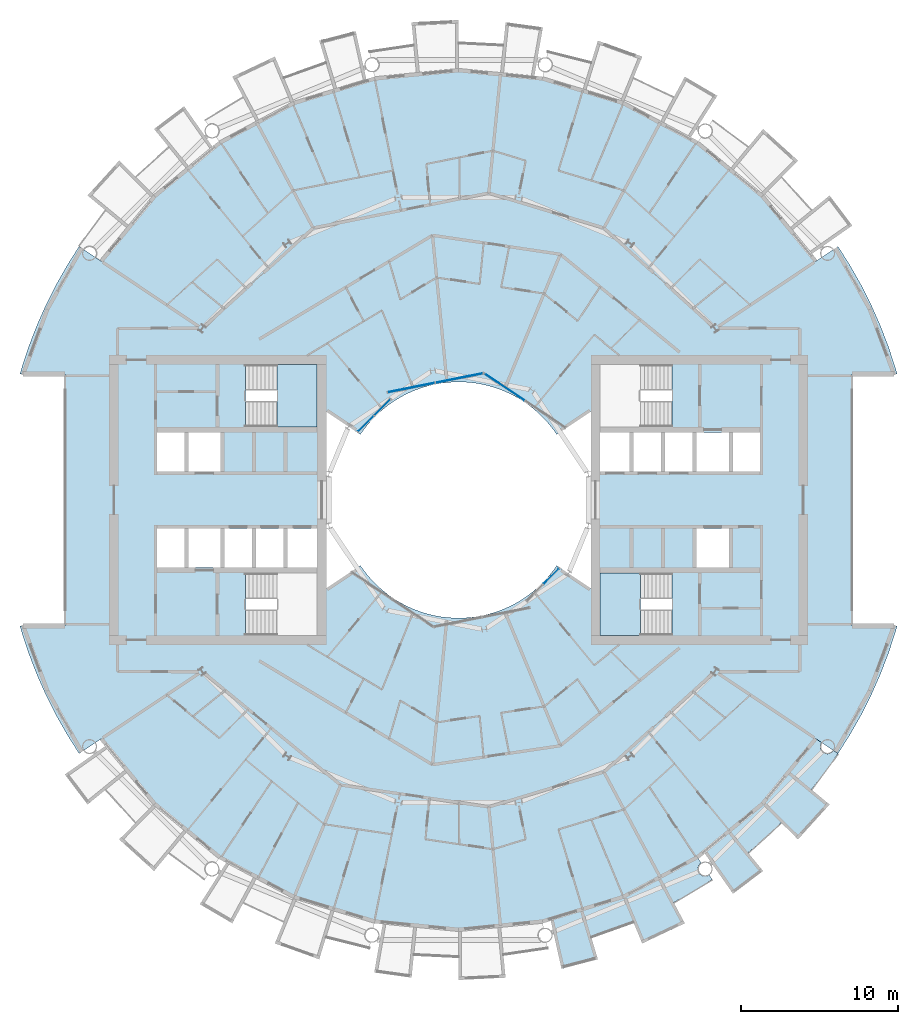
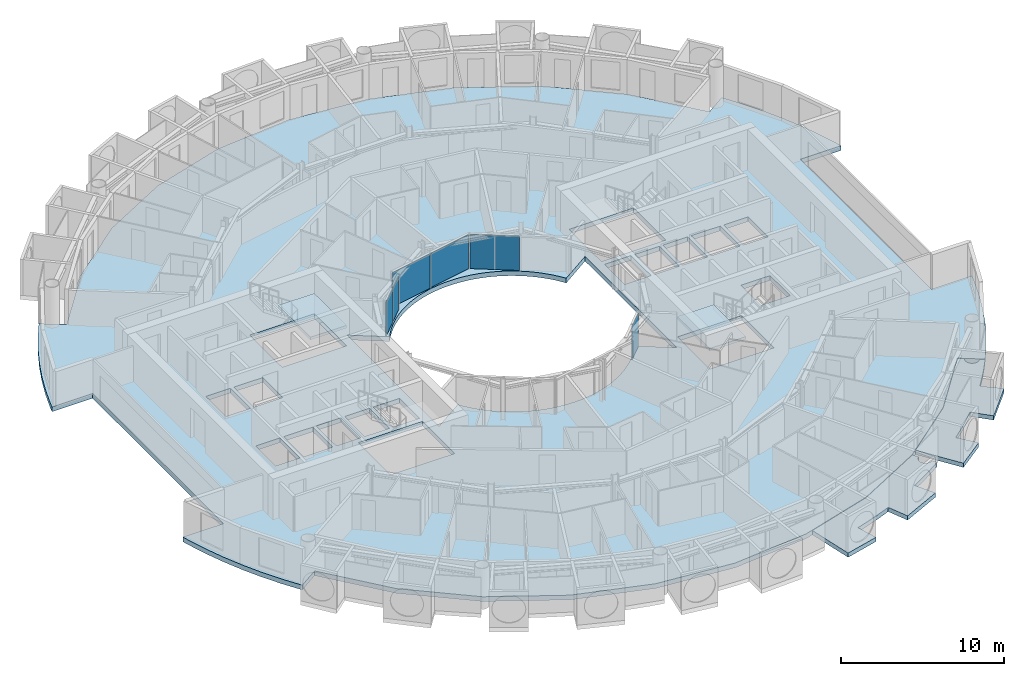
# One storey, part 11 of 27: 6 plates, 5 slabs, 6 elements without a shape of their own.
"""IFC4 building model written with IfcOpenShell, lengths in metres."""

from ifc_helpers import new_model, si_unit, direction, frame, origin, origin_2d, place, context, subcontext, project, spatial, polyline, rectangle, outline, extrude, material, layer, layer_set, type_object, element, aggregate, save


model = new_model("IFC4")

# Units and contexts
model_context = context("Model", 3, precision=1e-05, world=origin(), true_north=direction((0.0, 1.0)))
body_context = subcontext(model_context, "Body", "Model", "MODEL_VIEW")
ifc_project = project(units=[si_unit("LENGTHUNIT", "METRE"), si_unit("AREAUNIT", "SQUARE_METRE"), si_unit("VOLUMEUNIT", "CUBIC_METRE"), si_unit("PLANEANGLEUNIT", "RADIAN"), si_unit("MASSUNIT", "GRAM", prefix="KILO")], contexts=[model_context])

# Site, building, storey
site_placement = place(None, origin())
site = spatial("IfcSite", under=ifc_project, at=site_placement, CompositionType="ELEMENT")
building_placement = place(site_placement, origin())
building = spatial("IfcBuilding", under=site, at=building_placement, Name="Maasbend Ring Residences", CompositionType="ELEMENT")
storey_placement = place(building_placement, frame((0.0, 0.0, 136.050048828125)))
storey = spatial("IfcBuildingStorey", under=building, at=storey_placement, Name="L39", CompositionType="ELEMENT", Elevation=136.050048828125)

# Stair, slab
ifc_material_1 = material(Name="Concrete C40/50", Category="concrete")
stair_type = type_object("IfcStairType", Name="CORE STAIR 18 RISERS", PredefinedType="HALF_TURN_STAIR", material=ifc_material_1)
stair_1_placement = place(storey_placement, origin())
stair_1 = element("IfcStair", 1, at=stair_1_placement, inside=storey, type_object=stair_type, Name="L39 Exit stair ST-E2", PredefinedType="HALF_TURN_STAIR")
ifc_material_2 = material(Name="Concrete C40/50", Category="concrete")
ifc_layer_1 = layer(ifc_material_2, 0.199951171875)
ifc_layer_set_1 = layer_set([ifc_layer_1], Name="Concrete C40/50")
slab_type_1 = type_object("IfcSlabType", Name="CORE STAIR LANDING 200", PredefinedType="LANDING", material=ifc_layer_set_1)
slab_1_placement = place(storey_placement, frame((0.0, 0.0, 1.324951171875)))
slab_1 = element("IfcSlab", 2, at=slab_1_placement, type_object=slab_type_1, Name="ST-E2 landing 1", PredefinedType="LANDING", context=body_context, shape_type="SweptSolid", body=[
    extrude(outline(polyline([(11.550048828125, -4.64990234375), (9.0, -4.64990234375), (9.0, -8.60009765625), (11.550048828125, -8.60009765625), (11.550048828125, -4.64990234375)])), origin(), (0.0, 0.0, 1.0), 0.199951171875),
])
aggregate(stair_1, [slab_1])

stair_2_placement = place(storey_placement, origin())
stair_2 = element("IfcStair", 3, at=stair_2_placement, inside=storey, type_object=stair_type, Name="L39 Exit stair ST-W2", PredefinedType="HALF_TURN_STAIR")
slab_2_placement = place(storey_placement, frame((0.0, 0.0, 1.324951171875)))
slab_2 = element("IfcSlab", 4, at=slab_2_placement, type_object=slab_type_1, Name="ST-W2 landing 1", PredefinedType="LANDING", context=body_context, shape_type="SweptSolid", body=[
    extrude(outline(polyline([(-11.550048828125, 4.64990234375), (-9.0, 4.64990234375), (-9.0, 8.60009765625), (-11.550048828125, 8.60009765625), (-11.550048828125, 4.64990234375)])), origin(), (0.0, 0.0, 1.0), 0.199951171875),
])
aggregate(stair_2, [slab_2])

# Curtain wall, plate
ifc_material_3 = material(Name="Aluminium and clear glass", Category="aluminium")
ifc_layer_2 = layer(ifc_material_3, 0.179931640625)
ifc_layer_set_2 = layer_set([ifc_layer_2], Name="CW-W")
curtain_wall_type = type_object("IfcCurtainWallType", Name="CW-W", PredefinedType="NOTDEFINED", material=ifc_layer_set_2)
curtain_wall_1_placement = place(storey_placement, origin())
curtain_wall_1 = element("IfcCurtainWall", 5, at=curtain_wall_1_placement, inside=storey, type_object=curtain_wall_type, Name="Well curtain wall N1", PredefinedType="NOTDEFINED")
ifc_material_4 = material(Name="Glass clear laminated", Category="glass")
ifc_layer_3 = layer(ifc_material_4, 0.031982421875)
ifc_layer_set_3 = layer_set([ifc_layer_3], Name="CWP-W")
plate_type = type_object("IfcPlateType", Name="CWP-W", PredefinedType="CURTAIN_PANEL", material=ifc_layer_set_3)
plate_1_placement = place(storey_placement, frame((2.922119140625, 7.17578125, 0.0), z_axis=(0.0, 0.0, 1.0), x_axis=(-0.831469612303, 0.55557023302, 0.0)))
plate_1 = element("IfcPlate", 6, at=plate_1_placement, type_object=plate_type, Name="Glass panel well face", PredefinedType="CURTAIN_PANEL", context=body_context, shape_type="SweptSolid", body=[
    extrude(rectangle(XDim=3.053955078125, YDim=0.031982421875, at=origin_2d()), origin(), (0.0, 0.0, 1.0), 2.530029296875),
])
aggregate(curtain_wall_1, [plate_1])

# Curtain wall, plates
curtain_wall_2_placement = place(storey_placement, origin())
curtain_wall_2 = element("IfcCurtainWall", 7, at=curtain_wall_2_placement, inside=storey, type_object=curtain_wall_type, Name="Well curtain wall N2", PredefinedType="NOTDEFINED")
plate_2_placement = place(storey_placement, frame((0.04638671875, 7.747802734375, 0.0), z_axis=(0.0, 0.0, 1.0), x_axis=(-0.980785280403, -0.195090322016, 0.0)))
plate_2 = element("IfcPlate", 8, at=plate_2_placement, type_object=plate_type, Name="Glass panel well face", PredefinedType="CURTAIN_PANEL", context=body_context, shape_type="SweptSolid", body=[
    extrude(rectangle(XDim=3.053955078125, YDim=0.031982421875, at=origin_2d()), origin(), (0.0, 0.0, 1.0), 2.530029296875),
])
plate_3_placement = place(storey_placement, frame((-3.0078125, 7.140380859375, 0.0), z_axis=(0.0, 0.0, 1.0), x_axis=(-0.980785280403, -0.195090322016, 0.0)))
plate_3 = element("IfcPlate", 9, at=plate_3_placement, type_object=plate_type, Name="Glass panel well face", PredefinedType="CURTAIN_PANEL", context=body_context, shape_type="SweptSolid", body=[
    extrude(rectangle(XDim=3.053955078125, YDim=0.031982421875, at=origin_2d()), origin(), (0.0, 0.0, 1.0), 2.530029296875),
])
aggregate(curtain_wall_2, [plate_2, plate_3])

curtain_wall_3_placement = place(storey_placement, origin())
curtain_wall_3 = element("IfcCurtainWall", 10, at=curtain_wall_3_placement, inside=storey, type_object=curtain_wall_type, Name="Well curtain wall N3", PredefinedType="NOTDEFINED")
plate_4_placement = place(storey_placement, frame((-4.84375, 5.89013671875, 0.0), z_axis=(0.0, 0.0, 1.0), x_axis=(-0.707106781187, -0.707106781187, 0.0)))
plate_4 = element("IfcPlate", 11, at=plate_4_placement, type_object=plate_type, Name="Glass panel well face", PredefinedType="CURTAIN_PANEL", context=body_context, shape_type="SweptSolid", body=[
    extrude(rectangle(XDim=1.419677734375, YDim=0.031982421875, at=origin_2d()), origin(), (0.0, 0.0, 1.0), 2.530029296875),
])
plate_5_placement = place(storey_placement, frame((-5.89013671875, 4.84375, 0.0), z_axis=(0.0, 0.0, 1.0), x_axis=(-0.707106781187, -0.707106781187, 0.0)))
plate_5 = element("IfcPlate", 12, at=plate_5_placement, type_object=plate_type, Name="Glass panel well face", PredefinedType="CURTAIN_PANEL", context=body_context, shape_type="SweptSolid", body=[
    extrude(rectangle(XDim=1.419677734375, YDim=0.031982421875, at=origin_2d()), origin(), (0.0, 0.0, 1.0), 2.530029296875),
])
aggregate(curtain_wall_3, [plate_4, plate_5])

# Curtain wall, plate
curtain_wall_4_placement = place(storey_placement, origin())
curtain_wall_4 = element("IfcCurtainWall", 13, at=curtain_wall_4_placement, inside=storey, type_object=curtain_wall_type, Name="Well curtain wall S3", PredefinedType="NOTDEFINED")
plate_6_placement = place(storey_placement, frame((5.89013671875, -4.84375, 0.0), z_axis=(0.0, 0.0, 1.0), x_axis=(0.707106781187, 0.707106781187, 0.0)))
plate_6 = element("IfcPlate", 14, at=plate_6_placement, type_object=plate_type, Name="Glass panel well face", PredefinedType="CURTAIN_PANEL", context=body_context, shape_type="SweptSolid", body=[
    extrude(rectangle(XDim=1.419677734375, YDim=0.031982421875, at=origin_2d()), origin(), (0.0, 0.0, 1.0), 2.530029296875),
])
aggregate(curtain_wall_4, [plate_6])

# Slabs
ifc_material_5 = material(Name="Concrete C40/50", Category="concrete")
ifc_layer_4 = layer(ifc_material_5, 0.35009765625)
ifc_layer_set_4 = layer_set([ifc_layer_4], Name="Concrete C40/50")
slab_type_2 = type_object("IfcSlabType", Name="Post-tensioned flat plate 350", PredefinedType="FLOOR", material=ifc_layer_set_4)
slab_3_placement = place(storey_placement, frame((0.0, 0.0, -0.35009765625)))
element("IfcSlab", 15, at=slab_3_placement, inside=storey, type_object=slab_type_2, Name="Floor slab L39", PredefinedType="FLOOR", context=body_context, shape_type="SweptSolid", body=[
    extrude(outline(polyline([(24.8740234375, -14.908935546875), (25.57568359375, -13.67041015625), (26.2158203125, -12.399169921875), (26.79248046875, -11.097900390625), (27.3046875, -9.769775390625), (27.751220703125, -8.418212890625), (27.866943359375, -8.0), (25.0, -8.0), (25.0, 8.0), (27.866943359375, 8.0), (27.751220703125, 8.418212890625), (27.3046875, 9.769775390625), (26.79248046875, 11.097900390625), (26.2158203125, 12.399169921875), (25.57568359375, 13.67041015625), (24.8740234375, 14.908935546875), (24.112548828125, 16.111572265625), (22.69921875, 15.1669921875), (19.303955078125, 19.303955078125), (15.1669921875, 22.69921875), (10.447265625, 25.221923828125), (5.325927734375, 26.775390625), (0.0, 27.300048828125), (-5.325927734375, 26.775390625), (-10.447265625, 25.221923828125), (-15.1669921875, 22.69921875), (-19.303955078125, 19.303955078125), (-22.69921875, 15.1669921875), (-24.112548828125, 16.111572265625), (-24.8740234375, 14.908935546875), (-25.57568359375, 13.67041015625), (-26.2158203125, 12.399169921875), (-26.79248046875, 11.097900390625), (-27.3046875, 9.769775390625), (-27.751220703125, 8.418212890625), (-27.866943359375, 8.0), (-25.0, 8.0), (-25.0, -8.0), (-27.866943359375, -8.0), (-27.751220703125, -8.418212890625), (-27.3046875, -9.769775390625), (-26.79248046875, -11.097900390625), (-26.2158203125, -12.399169921875), (-25.57568359375, -13.67041015625), (-24.8740234375, -14.908935546875), (-24.112548828125, -16.111572265625), (-22.69921875, -15.1669921875), (-19.303955078125, -19.303955078125), (-15.1669921875, -22.69921875), (-10.447265625, -25.221923828125), (-5.325927734375, -26.775390625), (0.0, -27.300048828125), (5.325927734375, -26.775390625), (10.447265625, -25.221923828125), (15.1669921875, -22.69921875), (19.303955078125, -19.303955078125), (22.69921875, -15.1669921875), (24.112548828125, -16.111572265625), (24.8740234375, -14.908935546875)]), holes=[polyline([(17.425048828125, 4.27490234375), (19.14990234375, 4.27490234375), (19.14990234375, 1.824951171875), (17.425048828125, 1.824951171875), (17.425048828125, 4.27490234375)]), polyline([(15.125, 1.824951171875), (15.125, 4.27490234375), (17.175048828125, 4.27490234375), (17.175048828125, 1.824951171875), (15.125, 1.824951171875)]), polyline([(15.125, -4.27490234375), (15.125, -1.824951171875), (17.175048828125, -1.824951171875), (17.175048828125, -4.27490234375), (15.125, -4.27490234375)]), polyline([(13.125, 1.824951171875), (13.125, 4.27490234375), (14.875, 4.27490234375), (14.875, 1.824951171875), (13.125, 1.824951171875)]), polyline([(13.550048828125, 4.64990234375), (9.0, 4.64990234375), (9.0, 8.60009765625), (13.550048828125, 8.60009765625), (13.550048828125, 4.64990234375)]), polyline([(13.550048828125, -4.64990234375), (13.550048828125, -8.60009765625), (9.0, -8.60009765625), (9.0, -4.64990234375), (13.550048828125, -4.64990234375)]), polyline([(11.125, 1.824951171875), (11.125, 4.27490234375), (12.875, 4.27490234375), (12.875, 1.824951171875), (11.125, 1.824951171875)]), polyline([(9.0, 1.824951171875), (9.0, 4.27490234375), (10.875, 4.27490234375), (10.875, 1.824951171875), (9.0, 1.824951171875)]), polyline([(6.024169921875, 4.4677734375), (6.236083984375, 4.166748046875), (8.39990234375, 5.61279296875), (8.39990234375, -5.61279296875), (6.236083984375, -4.166748046875), (6.024169921875, -4.4677734375), (5.797607421875, -4.7578125), (5.55712890625, -5.03662109375), (5.30322265625, -5.30322265625), (5.03662109375, -5.55712890625), (4.7578125, -5.797607421875), (4.4677734375, -6.024169921875), (4.166748046875, -6.236083984375), (3.855712890625, -6.43310546875), (3.535400390625, -6.614501953125), (3.206787109375, -6.77978515625), (2.8701171875, -6.92919921875), (2.526611328125, -7.0615234375), (2.177001953125, -7.177001953125), (1.822509765625, -7.275146484375), (1.463134765625, -7.35595703125), (1.1005859375, -7.418701171875), (0.735107421875, -7.4638671875), (0.367919921875, -7.490966796875), (0.0, -7.5), (-0.367919921875, -7.490966796875), (-0.735107421875, -7.4638671875), (-1.1005859375, -7.418701171875), (-1.463134765625, -7.35595703125), (-1.822509765625, -7.275146484375), (-2.177001953125, -7.177001953125), (-2.526611328125, -7.0615234375), (-2.8701171875, -6.92919921875), (-3.206787109375, -6.77978515625), (-3.535400390625, -6.614501953125), (-3.855712890625, -6.43310546875), (-4.166748046875, -6.236083984375), (-4.4677734375, -6.024169921875), (-4.7578125, -5.797607421875), (-5.03662109375, -5.55712890625), (-5.30322265625, -5.30322265625), (-5.55712890625, -5.03662109375), (-5.797607421875, -4.7578125), (-6.024169921875, -4.4677734375), (-6.236083984375, -4.166748046875), (-8.39990234375, -5.61279296875), (-8.39990234375, 5.61279296875), (-6.236083984375, 4.166748046875), (-6.236083984375, 4.166748046875), (-6.024169921875, 4.4677734375), (-5.797607421875, 4.7578125), (-5.55712890625, 5.03662109375), (-5.30322265625, 5.30322265625), (-5.03662109375, 5.55712890625), (-4.7578125, 5.797607421875), (-4.4677734375, 6.024169921875), (-4.166748046875, 6.236083984375), (-3.855712890625, 6.43310546875), (-3.535400390625, 6.614501953125), (-3.206787109375, 6.77978515625), (-2.8701171875, 6.92919921875), (-2.526611328125, 7.0615234375), (-2.177001953125, 7.177001953125), (-1.822509765625, 7.275146484375), (-1.463134765625, 7.35595703125), (-1.1005859375, 7.418701171875), (-0.735107421875, 7.4638671875), (-0.367919921875, 7.490966796875), (0.0, 7.5), (0.367919921875, 7.490966796875), (0.735107421875, 7.4638671875), (1.1005859375, 7.418701171875), (1.463134765625, 7.35595703125), (1.822509765625, 7.275146484375), (2.177001953125, 7.177001953125), (2.526611328125, 7.0615234375), (2.8701171875, 6.92919921875), (3.206787109375, 6.77978515625), (3.535400390625, 6.614501953125), (3.855712890625, 6.43310546875), (4.166748046875, 6.236083984375), (4.4677734375, 6.024169921875), (4.7578125, 5.797607421875), (5.03662109375, 5.55712890625), (5.30322265625, 5.30322265625), (5.55712890625, 5.03662109375), (5.797607421875, 4.7578125), (6.024169921875, 4.4677734375)]), polyline([(-13.550048828125, 4.64990234375), (-13.550048828125, 8.60009765625), (-9.0, 8.60009765625), (-9.0, 4.64990234375), (-13.550048828125, 4.64990234375)]), polyline([(-13.550048828125, -8.60009765625), (-13.550048828125, -4.64990234375), (-9.0, -4.64990234375), (-9.0, -8.60009765625), (-13.550048828125, -8.60009765625)]), polyline([(-9.0, -1.824951171875), (-9.0, -4.27490234375), (-10.875, -4.27490234375), (-10.875, -1.824951171875), (-9.0, -1.824951171875)]), polyline([(-11.125, -1.824951171875), (-11.125, -4.27490234375), (-12.875, -4.27490234375), (-12.875, -1.824951171875), (-11.125, -1.824951171875)]), polyline([(-13.125, -1.824951171875), (-13.125, -4.27490234375), (-14.875, -4.27490234375), (-14.875, -1.824951171875), (-13.125, -1.824951171875)]), polyline([(-15.125, 4.27490234375), (-15.125, 1.824951171875), (-17.175048828125, 1.824951171875), (-17.175048828125, 4.27490234375), (-15.125, 4.27490234375)]), polyline([(-15.125, -1.824951171875), (-15.125, -4.27490234375), (-17.175048828125, -4.27490234375), (-17.175048828125, -1.824951171875), (-15.125, -1.824951171875)]), polyline([(-17.425048828125, -1.824951171875), (-17.425048828125, -4.27490234375), (-19.14990234375, -4.27490234375), (-19.14990234375, -1.824951171875), (-17.425048828125, -1.824951171875)]), polyline([(-17.425048828125, 4.27490234375), (-17.425048828125, 1.824951171875), (-19.14990234375, 1.824951171875), (-19.14990234375, 4.27490234375), (-17.425048828125, 4.27490234375)])]), origin(), (0.0, 0.0, 1.0), 0.35009765625),
])
ifc_material_6 = material(Name="Concrete C40/50", Category="concrete")
ifc_layer_5 = layer(ifc_material_6, 0.199951171875)
ifc_layer_set_5 = layer_set([ifc_layer_5], Name="Concrete C40/50")
slab_type_3 = type_object("IfcSlabType", Name="SL-LOGGIA", PredefinedType="FLOOR", material=ifc_layer_set_5)
slab_4_placement = place(storey_placement, frame((0.0, 0.0, -0.35009765625)))
element("IfcSlab", 16, at=slab_4_placement, inside=storey, type_object=slab_type_3, Name="Loggia floor 1", PredefinedType="FLOOR", context=body_context, shape_type="SweptSolid", body=[
    extrude(outline(polyline([(10.447021484375, -25.221923828125), (12.806884765625, -23.9609375), (15.1669921875, -22.698974609375), (15.1669921875, -22.698974609375), (15.1669921875, -22.698974609375), (15.4130859375, -23.06689453125), (15.404052734375, -23.073974609375), (15.39501953125, -23.080078125), (15.385986328125, -23.0869140625), (15.376953125, -23.093994140625), (15.368896484375, -23.10107421875), (15.360107421875, -23.10888671875), (15.35205078125, -23.115966796875), (15.343994140625, -23.1240234375), (15.3359375, -23.132080078125), (15.327880859375, -23.139892578125), (15.321044921875, -23.14892578125), (15.31396484375, -23.156982421875), (15.306884765625, -23.166015625), (15.300048828125, -23.175048828125), (15.29296875, -23.18408203125), (15.287109375, -23.194091796875), (15.281005859375, -23.202880859375), (15.27490234375, -23.2119140625), (15.26904296875, -23.221923828125), (15.263916015625, -23.23193359375), (15.259033203125, -23.241943359375), (15.25390625, -23.251953125), (15.2490234375, -23.261962890625), (15.2451171875, -23.27294921875), (15.240966796875, -23.282958984375), (15.237060546875, -23.29296875), (15.23291015625, -23.303955078125), (15.22998046875, -23.31494140625), (15.22705078125, -23.325927734375), (15.22412109375, -23.3359375), (15.220947265625, -23.346923828125), (15.218994140625, -23.35791015625), (15.217041015625, -23.368896484375), (15.215087890625, -23.3798828125), (15.214111328125, -23.39111328125), (15.2119140625, -23.403076171875), (15.2109375, -23.4140625), (15.2109375, -23.425048828125), (15.2099609375, -23.43603515625), (15.2099609375, -23.447021484375), (15.2099609375, -23.458984375), (15.2109375, -23.469970703125), (15.2109375, -23.48095703125), (15.2119140625, -23.491943359375), (15.214111328125, -23.5029296875), (15.215087890625, -23.513916015625), (15.217041015625, -23.52587890625), (15.218994140625, -23.537109375), (15.220947265625, -23.548095703125), (15.22412109375, -23.55810546875), (15.22705078125, -23.569091796875), (15.22998046875, -23.580078125), (15.23291015625, -23.591064453125), (15.237060546875, -23.60107421875), (15.240966796875, -23.612060546875), (15.2451171875, -23.6220703125), (15.2490234375, -23.633056640625), (15.25390625, -23.64306640625), (15.259033203125, -23.653076171875), (15.263916015625, -23.6630859375), (15.26904296875, -23.673095703125), (15.27490234375, -23.681884765625), (15.281005859375, -23.69189453125), (15.287109375, -23.700927734375), (15.29296875, -23.7109375), (15.300048828125, -23.719970703125), (15.306884765625, -23.72900390625), (15.31396484375, -23.737060546875), (15.321044921875, -23.74609375), (15.327880859375, -23.75390625), (15.3359375, -23.762939453125), (15.343994140625, -23.77099609375), (15.35205078125, -23.778076171875), (15.360107421875, -23.785888671875), (15.368896484375, -23.79296875), (15.376953125, -23.801025390625), (15.385986328125, -23.80810546875), (15.39501953125, -23.81396484375), (15.404052734375, -23.821044921875), (15.4130859375, -23.826904296875), (15.423095703125, -23.8330078125), (15.431884765625, -23.839111328125), (15.44189453125, -23.844970703125), (15.451904296875, -23.85009765625), (15.4619140625, -23.85595703125), (15.471923828125, -23.861083984375), (15.48193359375, -23.864990234375), (15.491943359375, -23.8701171875), (15.5029296875, -23.8740234375), (15.512939453125, -23.8779296875), (15.52392578125, -23.881103515625), (15.533935546875, -23.885009765625), (15.544921875, -23.887939453125), (15.555908203125, -23.89111328125), (15.56689453125, -23.89306640625), (15.577880859375, -23.89599609375), (15.589111328125, -23.89794921875), (15.60009765625, -23.89892578125), (15.611083984375, -23.90087890625), (15.6220703125, -23.902099609375), (15.633056640625, -23.903076171875), (15.64501953125, -23.904052734375), (15.656005859375, -23.904052734375), (15.6669921875, -23.904052734375), (15.677978515625, -23.904052734375), (15.68994140625, -23.904052734375), (15.700927734375, -23.903076171875), (15.7119140625, -23.902099609375), (15.722900390625, -23.90087890625), (15.73388671875, -23.89892578125), (15.7451171875, -23.89794921875), (15.756103515625, -23.89599609375), (15.76708984375, -23.89306640625), (15.778076171875, -23.89111328125), (15.7890625, -23.887939453125), (15.800048828125, -23.885009765625), (15.81005859375, -23.881103515625), (15.821044921875, -23.8779296875), (15.83203125, -23.8740234375), (15.842041015625, -23.8701171875), (15.85205078125, -23.864990234375), (15.862060546875, -23.861083984375), (15.873046875, -23.85595703125), (15.883056640625, -23.85009765625), (15.89208984375, -23.844970703125), (15.902099609375, -23.839111328125), (15.912109375, -23.8330078125), (15.9208984375, -23.826904296875), (16.112060546875, -24.113037109375), (16.112060546875, -24.113037109375), (16.112060546875, -24.113037109375), (15.31396484375, -24.626953125), (15.31396484375, -24.626953125), (14.5, -25.114990234375), (14.5, -25.114990234375), (13.6708984375, -25.574951171875), (13.6708984375, -25.575927734375), (13.6708984375, -25.575927734375), (13.6708984375, -25.575927734375), (13.6708984375, -25.575927734375), (13.6708984375, -25.575927734375), (13.6708984375, -25.575927734375), (13.6708984375, -25.575927734375), (13.6708984375, -25.575927734375), (13.6708984375, -25.575927734375), (13.6708984375, -25.575927734375), (13.6708984375, -25.575927734375), (13.6708984375, -25.575927734375), (13.6708984375, -25.575927734375), (13.6708984375, -25.575927734375), (13.6708984375, -25.575927734375), (13.6708984375, -25.575927734375), (14.3779296875, -26.89892578125), (14.3779296875, -26.89892578125), (14.3779296875, -26.89892578125), (11.672119140625, -28.177978515625), (11.672119140625, -28.177978515625), (11.672119140625, -28.177978515625), (11.097900390625, -26.79296875), (11.097900390625, -26.79296875), (11.097900390625, -26.79296875), (11.097900390625, -26.79296875), (11.097900390625, -26.79296875), (11.097900390625, -26.79296875), (11.097900390625, -26.79296875), (11.097900390625, -26.79296875), (11.097900390625, -26.79296875), (11.097900390625, -26.79296875), (11.097900390625, -26.79296875), (11.097900390625, -26.79296875), (11.097900390625, -26.79296875), (11.097900390625, -26.79296875), (11.096923828125, -26.79296875), (11.096923828125, -26.79296875), (11.096923828125, -26.79296875), (10.215087890625, -27.14111328125), (10.215087890625, -27.14111328125), (9.322021484375, -27.4609375), (9.322021484375, -27.4609375), (8.4189453125, -27.7509765625), (8.4189453125, -27.7509765625), (8.4189453125, -27.7509765625), (8.4189453125, -27.7509765625), (8.4189453125, -27.7509765625), (8.4189453125, -27.7509765625), (8.41796875, -27.7509765625), (8.41796875, -27.7509765625), (8.41796875, -27.7509765625), (8.41796875, -27.7509765625), (8.41796875, -27.7509765625), (8.41796875, -27.751953125), (8.41796875, -27.751953125), (8.41796875, -27.751953125), (8.41796875, -27.751953125), (8.41796875, -27.751953125), (8.41796875, -27.751953125), (8.85400390625, -29.18701171875), (8.85400390625, -29.18701171875), (8.85400390625, -29.18701171875), (6.5400390625, -29.791015625), (6.5400390625, -29.791015625), (6.5400390625, -29.791015625), (5.843994140625, -26.617919921875), (5.843994140625, -26.617919921875), (5.843994140625, -26.617919921875), (7.886962890625, -25.9990234375), (10.447021484375, -25.221923828125), (10.447021484375, -25.221923828125), (10.447021484375, -25.221923828125)])), origin(), (0.0, 0.0, 1.0), 0.320068359375),
])
slab_5_placement = place(storey_placement, frame((0.0, 0.0, -0.35009765625)))
element("IfcSlab", 17, at=slab_5_placement, inside=storey, type_object=slab_type_3, Name="Loggia floor 4", PredefinedType="FLOOR", context=body_context, shape_type="SweptSolid", body=[
    extrude(outline(polyline([(19.303955078125, -19.303955078125), (21.001953125, -17.236083984375), (22.698974609375, -15.1669921875), (22.698974609375, -15.1669921875), (22.698974609375, -15.1669921875), (23.06689453125, -15.4130859375), (23.06689453125, -15.4130859375), (23.06103515625, -15.423095703125), (23.054931640625, -15.431884765625), (23.050048828125, -15.44189453125), (23.0439453125, -15.451904296875), (23.0390625, -15.4619140625), (23.033935546875, -15.471923828125), (23.030029296875, -15.48193359375), (23.02490234375, -15.491943359375), (23.02099609375, -15.5029296875), (23.01708984375, -15.512939453125), (23.012939453125, -15.52392578125), (23.010009765625, -15.533935546875), (23.007080078125, -15.544921875), (23.00390625, -15.555908203125), (23.001953125, -15.56689453125), (22.9990234375, -15.577880859375), (22.9970703125, -15.589111328125), (22.9951171875, -15.60009765625), (22.993896484375, -15.611083984375), (22.992919921875, -15.6220703125), (22.991943359375, -15.633056640625), (22.990966796875, -15.64501953125), (22.990966796875, -15.656005859375), (22.989990234375, -15.6669921875), (22.990966796875, -15.677978515625), (22.990966796875, -15.68994140625), (22.991943359375, -15.700927734375), (22.992919921875, -15.7119140625), (22.993896484375, -15.722900390625), (22.9951171875, -15.73388671875), (22.9970703125, -15.7451171875), (22.9990234375, -15.756103515625), (23.001953125, -15.76708984375), (23.00390625, -15.778076171875), (23.007080078125, -15.7890625), (23.010009765625, -15.800048828125), (23.012939453125, -15.81005859375), (23.01708984375, -15.821044921875), (23.02099609375, -15.83203125), (23.02490234375, -15.842041015625), (23.030029296875, -15.85205078125), (23.033935546875, -15.862060546875), (23.0390625, -15.873046875), (23.0439453125, -15.883056640625), (23.050048828125, -15.89208984375), (23.054931640625, -15.902099609375), (23.06103515625, -15.912109375), (23.06689453125, -15.9208984375), (23.073974609375, -15.929931640625), (23.080078125, -15.93896484375), (23.0869140625, -15.947998046875), (23.093994140625, -15.95703125), (23.10107421875, -15.966064453125), (23.10888671875, -15.97412109375), (23.115966796875, -15.98193359375), (23.1240234375, -15.989990234375), (23.132080078125, -15.998046875), (23.139892578125, -16.006103515625), (23.14892578125, -16.012939453125), (23.156982421875, -16.02001953125), (23.166015625, -16.027099609375), (23.175048828125, -16.033935546875), (23.18408203125, -16.041015625), (23.194091796875, -16.047119140625), (23.202880859375, -16.052978515625), (23.2119140625, -16.05908203125), (23.221923828125, -16.06494140625), (23.23193359375, -16.070068359375), (23.241943359375, -16.074951171875), (23.251953125, -16.080078125), (23.261962890625, -16.0849609375), (23.27294921875, -16.089111328125), (23.282958984375, -16.093017578125), (23.29296875, -16.096923828125), (23.303955078125, -16.10107421875), (23.31494140625, -16.10400390625), (23.325927734375, -16.10791015625), (23.3359375, -16.110107421875), (23.346923828125, -16.113037109375), (23.35791015625, -16.114990234375), (23.368896484375, -16.116943359375), (23.3798828125, -16.118896484375), (23.39111328125, -16.12109375), (23.403076171875, -16.1220703125), (23.4140625, -16.123046875), (23.425048828125, -16.1240234375), (23.43603515625, -16.1240234375), (23.447021484375, -16.1240234375), (23.458984375, -16.1240234375), (23.469970703125, -16.1240234375), (23.48095703125, -16.123046875), (23.491943359375, -16.1220703125), (23.5029296875, -16.12109375), (23.513916015625, -16.118896484375), (23.52587890625, -16.116943359375), (23.537109375, -16.114990234375), (23.548095703125, -16.113037109375), (23.55810546875, -16.110107421875), (23.569091796875, -16.10791015625), (23.580078125, -16.10400390625), (23.591064453125, -16.10107421875), (23.60107421875, -16.096923828125), (23.612060546875, -16.093017578125), (23.6220703125, -16.089111328125), (23.633056640625, -16.0849609375), (23.64306640625, -16.080078125), (23.653076171875, -16.074951171875), (23.6630859375, -16.070068359375), (23.673095703125, -16.06494140625), (23.681884765625, -16.05908203125), (23.69189453125, -16.052978515625), (23.700927734375, -16.047119140625), (23.7109375, -16.041015625), (23.719970703125, -16.033935546875), (23.72900390625, -16.027099609375), (23.737060546875, -16.02001953125), (23.74609375, -16.012939453125), (23.75390625, -16.006103515625), (23.762939453125, -15.998046875), (23.77099609375, -15.989990234375), (23.778076171875, -15.98193359375), (23.785888671875, -15.97412109375), (23.79296875, -15.966064453125), (23.801025390625, -15.95703125), (23.80810546875, -15.947998046875), (23.81396484375, -15.93896484375), (23.821044921875, -15.929931640625), (23.826904296875, -15.9208984375), (23.826904296875, -15.9208984375), (24.113037109375, -16.112060546875), (24.113037109375, -16.112060546875), (24.113037109375, -16.112060546875), (23.572998046875, -16.89208984375), (23.572998046875, -16.89208984375), (23.007080078125, -17.654052734375), (23.007080078125, -17.654052734375), (22.41796875, -18.39697265625), (22.41796875, -18.39697265625), (22.41796875, -18.39697265625), (22.41796875, -18.39697265625), (22.41796875, -18.39697265625), (22.41796875, -18.39697265625), (22.41796875, -18.39697265625), (22.41796875, -18.39697265625), (22.41796875, -18.39697265625), (22.41796875, -18.39697265625), (22.41796875, -18.39697265625), (22.41796875, -18.39794921875), (22.41796875, -18.39794921875), (22.41796875, -18.39794921875), (22.41796875, -18.39794921875), (22.41796875, -18.39794921875), (22.41796875, -18.39794921875), (23.576904296875, -19.34912109375), (23.576904296875, -19.34912109375), (23.576904296875, -19.34912109375), (21.56689453125, -21.56689453125), (21.56689453125, -21.56689453125), (21.56689453125, -21.56689453125), (20.506103515625, -20.506103515625), (20.506103515625, -20.506103515625), (20.506103515625, -20.506103515625), (20.506103515625, -20.506103515625), (20.506103515625, -20.506103515625), (20.506103515625, -20.506103515625), (20.506103515625, -20.506103515625), (20.506103515625, -20.506103515625), (20.506103515625, -20.506103515625), (20.506103515625, -20.506103515625), (20.506103515625, -20.506103515625), (20.506103515625, -20.506103515625), (20.506103515625, -20.506103515625), (20.506103515625, -20.506103515625), (20.506103515625, -20.506103515625), (20.506103515625, -20.506103515625), (20.506103515625, -20.506103515625), (19.823974609375, -21.166015625), (19.823974609375, -21.166015625), (19.12109375, -21.802978515625), (19.12109375, -21.802978515625), (18.39794921875, -22.4169921875), (18.39794921875, -22.4169921875), (18.39794921875, -22.4169921875), (18.39794921875, -22.4169921875), (18.39794921875, -22.4169921875), (18.39794921875, -22.4169921875), (18.39794921875, -22.4169921875), (18.39794921875, -22.4169921875), (18.39794921875, -22.4169921875), (18.39794921875, -22.4169921875), (18.39794921875, -22.4169921875), (18.39794921875, -22.4169921875), (18.39794921875, -22.41796875), (18.39794921875, -22.41796875), (18.39794921875, -22.41796875), (18.39794921875, -22.41796875), (18.39794921875, -22.41796875), (19.34912109375, -23.576904296875), (19.34912109375, -23.576904296875), (19.34912109375, -23.576904296875), (17.44189453125, -25.02001953125), (17.44189453125, -25.02001953125), (17.44189453125, -25.02001953125), (15.5849609375, -22.35595703125), (15.5849609375, -22.35595703125), (15.5849609375, -22.35595703125), (17.236083984375, -21.001953125), (19.303955078125, -19.303955078125), (19.303955078125, -19.303955078125), (19.303955078125, -19.303955078125)])), origin(), (0.0, 0.0, 1.0), 0.320068359375),
])

save(model, "model.ifc")
